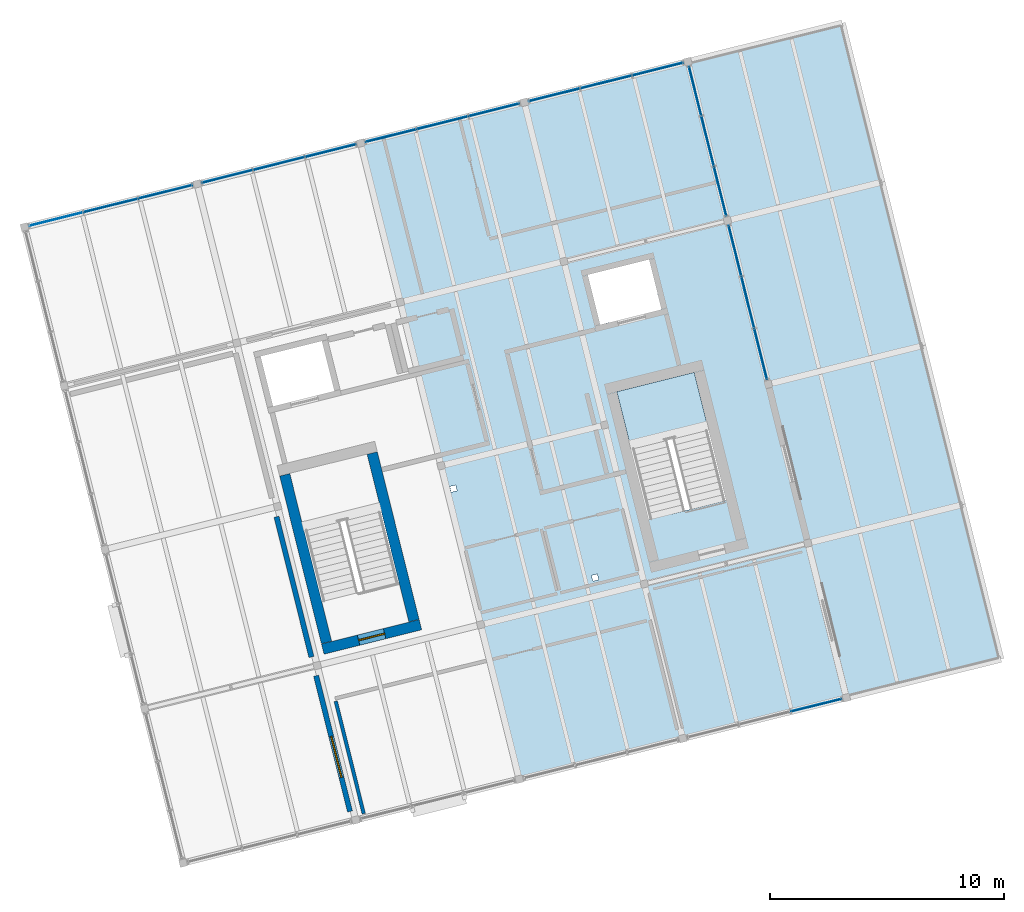
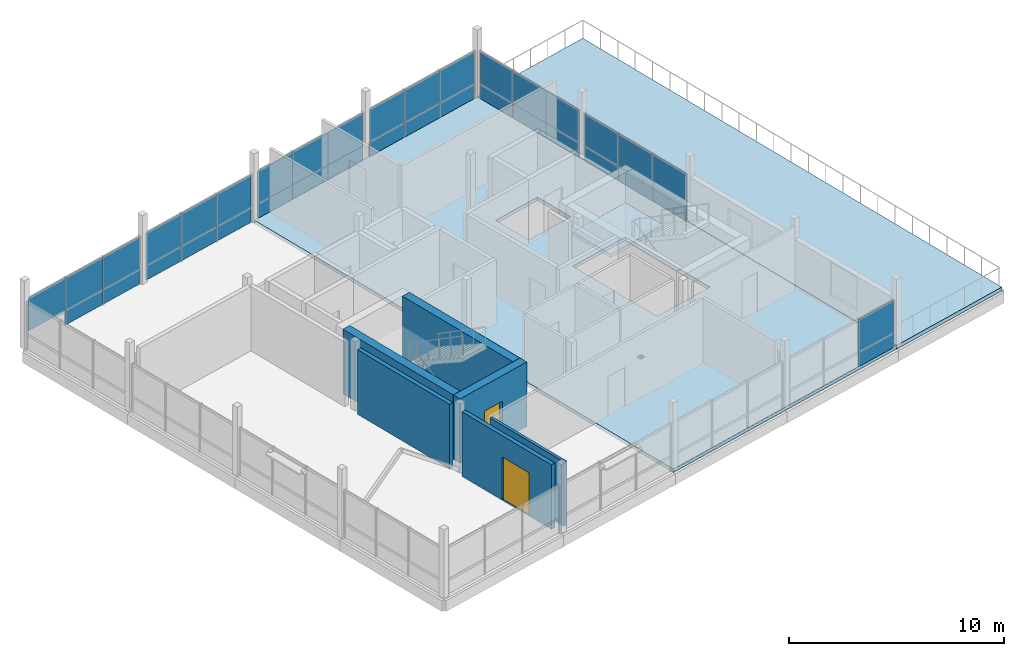
# One storey, part 21 of 24: 37 plates, 6 walls, 3 slabs, 2 doors, 2 openings, 8 elements without a shape of their own.
"""IFC4 building model written with IfcOpenShell, lengths in metres."""

import ifcopenshell
import ifcopenshell.guid

model = None  # the IFC model being written
_history = None  # IfcOwnerHistory: only IFC2X3 demands one
_inside = {}  # id of a spatial element -> (the spatial element, [elements in it])
_under = {}  # id of a project, library or spatial element -> (it, [spatial elements below it])
_declared = {}  # id of a project -> (the project, [libraries it declares])
_typed = {}  # id of a type object -> (the type object, [elements of that type])
_made_of = {}  # id of a material, layer set ... -> (it, [elements and type objects made of it])


def new_model(schema):
    """Start an empty IFC model of exactly this schema.

    Asked for "IFC4X3", IfcOpenShell would pick the latest addendum, in which some entities
    have other attributes; the version numbers below select the first issue.
    IFC2X3 requires an IfcOwnerHistory on every rooted entity: one is made here for all.
    """
    global model, _history
    if schema == "IFC4X3":
        model = ifcopenshell.file(schema_version=(4, 3, 0, 0))
    else:
        model = ifcopenshell.file(schema=schema)
    _inside.clear()
    _under.clear()
    _declared.clear()
    _typed.clear()
    _made_of.clear()
    _history = None
    if model.schema == "IFC2X3":
        org = make("IfcOrganization", Name="unknown")
        user = make(
            "IfcPersonAndOrganization",
            ThePerson=make("IfcPerson", FamilyName="unknown"),
            TheOrganization=org,
        )
        app = make(
            "IfcApplication",
            ApplicationDeveloper=org,
            Version="unknown",
            ApplicationFullName="unknown",
            ApplicationIdentifier="unknown",
        )
        _history = make(
            "IfcOwnerHistory",
            OwningUser=user,
            OwningApplication=app,
            ChangeAction="ADDED",
            CreationDate=0,
        )
    return model


def make(cls, **values):
    """One entity of the class cls with the attributes given. An attribute that is None is left unset."""
    return model.create_entity(
        cls, **{name: value for name, value in values.items() if value is not None}
    )


def rooted(cls, **values):
    """An entity with a GlobalId (a new one), such as an element, a storey or a relation."""
    return make(cls, GlobalId=ifcopenshell.guid.new(), OwnerHistory=_history, **values)


def si_unit(unit_type, name, prefix=None):
    """IfcSIUnit, for example si_unit("LENGTHUNIT", "METRE", prefix="MILLI")."""
    return make("IfcSIUnit", UnitType=unit_type, Prefix=prefix, Name=name)


def assignment(units):
    """IfcUnitAssignment: the units of a project."""
    return None if units is None else make("IfcUnitAssignment", Units=units)


def point(xyz):
    """IfcCartesianPoint."""
    return None if xyz is None else make("IfcCartesianPoint", Coordinates=xyz)


def direction(xyz):
    """IfcDirection."""
    return None if xyz is None else make("IfcDirection", DirectionRatios=xyz)


def frame(location, z_axis=None, x_axis=None):
    """IfcAxis2Placement3D, a coordinate frame: its origin and axes. An axis left out is left unset."""
    return make(
        "IfcAxis2Placement3D",
        Location=point(location),
        Axis=direction(z_axis),
        RefDirection=direction(x_axis),
    )


def frame_2d(location, x_axis=None):
    """IfcAxis2Placement2D, a coordinate frame in the plane: its origin and x axis."""
    return make(
        "IfcAxis2Placement2D", Location=point(location), RefDirection=direction(x_axis)
    )


def origin():
    """The frame at (0, 0, 0) with its axes left unset."""
    return frame((0.0, 0.0, 0.0))


def origin_2d():
    """The frame at (0, 0) in the plane with its x axis left unset."""
    return frame_2d((0.0, 0.0))


def place(relative_to, where):
    """IfcLocalPlacement: puts the frame where relative to a parent placement (None: the world)."""
    return make(
        "IfcLocalPlacement", PlacementRelTo=relative_to, RelativePlacement=where
    )


def context(
    kind, dimensions, precision=None, world=None, true_north=None, identifier=None
):
    """IfcGeometricRepresentationContext, for example the 3D "Model" context."""
    return make(
        "IfcGeometricRepresentationContext",
        ContextIdentifier=identifier,
        ContextType=kind,
        CoordinateSpaceDimension=dimensions,
        Precision=precision,
        WorldCoordinateSystem=world,
        TrueNorth=true_north,
    )


def subcontext(parent, identifier, kind, view, scale=None):
    """IfcGeometricRepresentationSubContext, for example "Body" below "Model"."""
    return make(
        "IfcGeometricRepresentationSubContext",
        ContextIdentifier=identifier,
        ContextType=kind,
        ParentContext=parent,
        TargetScale=scale,
        TargetView=view,
    )


def project(units=None, contexts=None):
    """IfcProject with its units and contexts."""
    return rooted(
        "IfcProject",
        Name="project",
        RepresentationContexts=contexts,
        UnitsInContext=assignment(units),
    )


def spatial(cls, under=None, at=None, **own):
    """A site, building, storey or space (cls), placed at a placement, below another one or the project."""
    s = rooted(cls, ObjectPlacement=at, **own)
    if under is not None:
        _under.setdefault(under.id(), (under, []))[1].append(s)
    return s


def polyline(points):
    """IfcPolyline through the points."""
    return make("IfcPolyline", Points=[point(p) for p in points])


def profile(cls, at=None, kind="AREA", **sizes):
    """A parametric profile (cls). Its sizes go by their IFC names, for example OverallWidth=200.0."""
    return make(cls, ProfileType=kind, Position=at, **sizes)


def rectangle(**sizes):
    """IfcRectangleProfileDef."""
    return profile("IfcRectangleProfileDef", **sizes)


def outline(outer, holes=None, kind="AREA"):
    """IfcArbitraryClosedProfileDef: a profile drawn as a closed curve; with holes, ...WithVoids."""
    if holes is None:
        return make("IfcArbitraryClosedProfileDef", ProfileType=kind, OuterCurve=outer)
    return make(
        "IfcArbitraryProfileDefWithVoids",
        ProfileType=kind,
        OuterCurve=outer,
        InnerCurves=holes,
    )


def extrude(swept, where, along, depth):
    """IfcExtrudedAreaSolid: the profile swept, set in the frame where, extruded along a direction by depth."""
    return make(
        "IfcExtrudedAreaSolid",
        SweptArea=swept,
        Position=where,
        ExtrudedDirection=direction(along),
        Depth=depth,
    )


def shape(context_of_items, identifier, shape_type, items):
    """IfcShapeRepresentation: the items that make up one representation, for example the "Body"."""
    return make(
        "IfcShapeRepresentation",
        ContextOfItems=context_of_items,
        RepresentationIdentifier=identifier,
        RepresentationType=shape_type,
        Items=items,
    )


def material(Name=None, Category=None):
    """IfcMaterial."""
    return make("IfcMaterial", Name=Name, Category=Category)


def layer(
    of_material, thickness, ventilated=None, Name=None, Category=None, Priority=None
):
    """IfcMaterialLayer: one layer of a wall or slab, of a material (None: an air gap)."""
    return make(
        "IfcMaterialLayer",
        Material=of_material,
        LayerThickness=thickness,
        IsVentilated=ventilated,
        Name=Name,
        Category=Category,
        Priority=Priority,
    )


def layer_set(layers, Name=None):
    """IfcMaterialLayerSet."""
    return make("IfcMaterialLayerSet", MaterialLayers=layers, LayerSetName=Name)


def made_of(thing, what):
    """Note that an element or type object is made of a material, layer set ...; save() writes the relation."""
    if what is not None:
        _made_of.setdefault(what.id(), (what, []))[1].append(thing)
    return thing


def type_object(cls, material=None, **own):
    """A type object (cls), such as IfcWallType, which elements share."""
    return made_of(rooted(cls, **own), material)


def element(
    cls,
    number,
    at=None,
    inside=None,
    cuts=None,
    type_object=None,
    material=None,
    context=None,
    identifier="Body",
    shape_type=None,
    held_by="IfcProductDefinitionShape",
    body=None,
    shapes=None,
    **own,
):
    """One element of the class cls, such as IfcWall. Its Tag is "e" and its number.

    at: its placement. inside: the storey or other place that contains it. cuts: it is an
    opening in that element (IfcRelVoidsElement). A single representation is given by context,
    identifier, shape_type and body (its items); several are given by shapes. held_by: the class
    of the entity that holds the representations. save() writes the other relations.
    """
    e = rooted(cls, Tag="e%d" % number, ObjectPlacement=at, **own)
    if body is not None:
        shapes = [shape(context, identifier, shape_type, body)]
    if shapes is not None:
        e.Representation = make(held_by, Representations=shapes)
    if inside is not None:
        _inside.setdefault(inside.id(), (inside, []))[1].append(e)
    if cuts is not None:
        rooted(
            "IfcRelVoidsElement", RelatingBuildingElement=cuts, RelatedOpeningElement=e
        )
    if type_object is not None:
        _typed.setdefault(type_object.id(), (type_object, []))[1].append(e)
    return made_of(e, material)


def fill(opening, filler):
    """IfcRelFillsElement: the door or window that sits in an opening."""
    return rooted(
        "IfcRelFillsElement",
        RelatingOpeningElement=opening,
        RelatedBuildingElement=filler,
    )


def aggregate(whole, parts):
    """IfcRelAggregates: a whole, such as a stair, and the parts it consists of."""
    return rooted("IfcRelAggregates", RelatingObject=whole, RelatedObjects=parts)


def save(model, path):
    """Write the relations noted so far, then the file.

    IfcRelAggregates (storeys below a building ...), IfcRelContainedInSpatialStructure (elements
    in a storey), IfcRelDefinesByType, IfcRelAssociatesMaterial and IfcRelDeclares: one each for
    every whole, place, type object, material and project.
    """
    for whole, parts in _under.values():
        aggregate(whole, parts)
    for where, things in _inside.values():
        rooted(
            "IfcRelContainedInSpatialStructure",
            RelatedElements=things,
            RelatingStructure=where,
        )
    for kind, things in _typed.values():
        rooted("IfcRelDefinesByType", RelatedObjects=things, RelatingType=kind)
    for what, things in _made_of.values():
        rooted("IfcRelAssociatesMaterial", RelatedObjects=things, RelatingMaterial=what)
    for by, libraries in _declared.values():
        rooted("IfcRelDeclares", RelatingContext=by, RelatedDefinitions=libraries)
    model.write(path)


model = new_model("IFC4")

# Units and contexts
model_context = context("Model", 3, precision=1e-05, world=origin(), true_north=direction((0.0, 1.0)))
body_context = subcontext(model_context, "Body", "Model", "MODEL_VIEW")
ifc_project = project(units=[si_unit("LENGTHUNIT", "METRE"), si_unit("AREAUNIT", "SQUARE_METRE"), si_unit("VOLUMEUNIT", "CUBIC_METRE"), si_unit("PLANEANGLEUNIT", "RADIAN"), si_unit("MASSUNIT", "GRAM", prefix="KILO")], contexts=[model_context])

# Site, building, storey
site_placement = place(None, origin())
site = spatial("IfcSite", under=ifc_project, at=site_placement, CompositionType="ELEMENT")
building_placement = place(site_placement, origin())
building = spatial("IfcBuilding", under=site, at=building_placement, Name="Meriwether Solvik Hall", CompositionType="ELEMENT")
storey_placement = place(building_placement, frame((0.0, 0.0, 57.300048828125)))
storey = spatial("IfcBuildingStorey", under=building, at=storey_placement, Name="L14", CompositionType="ELEMENT", Elevation=57.300048828125)

# Curtain wall, plates
ifc_material_1 = material(Name="Thermally Broken Anodised Aluminium 6063-T6 and Low-E Glass", Category="aluminium")
ifc_layer_1 = layer(ifc_material_1, 0.179931640625)
ifc_layer_set_1 = layer_set([ifc_layer_1], Name="Thermally Broken Anodised Aluminium 6063-T6 and Low-E Glass")
curtain_wall_type_1 = type_object("IfcCurtainWallType", Name="CW-UNIT-G", PredefinedType="USERDEFINED", material=ifc_layer_set_1)
curtain_wall_1_placement = place(storey_placement, origin())
curtain_wall_1 = element("IfcCurtainWall", 1, at=curtain_wall_1_placement, inside=storey, type_object=curtain_wall_type_1, Name="Curtain Wall E2_B0 (L14)", ObjectType="UNITISED CURTAIN WALL", PredefinedType="USERDEFINED")
ifc_material_2 = material(Name="Low-Emissivity Double-Glazed Laminated Glass", Category="glass")
ifc_layer_2 = layer(ifc_material_2, 0.031982421875)
ifc_layer_set_2 = layer_set([ifc_layer_2], Name="Low-Emissivity Double-Glazed Laminated Glass")
plate_type_1 = type_object("IfcPlateType", Name="PLT-GLZ-180X185", PredefinedType="CURTAIN_PANEL", material=ifc_layer_set_2)
plate_1_placement = place(storey_placement, frame((63.183349609375, 68.70654296875, 0.8173828125), z_axis=(0.0, 0.0, 1.0), x_axis=(0.970295720361, 0.241921919325, 0.0)))
plate_1 = element("IfcPlate", 2, at=plate_1_placement, type_object=plate_type_1, Name="Low-E Vision Glazing Panel 1", PredefinedType="CURTAIN_PANEL", context=body_context, shape_type="SweptSolid", body=[
    extrude(rectangle(XDim=2.374267578125, YDim=0.033935546875, at=origin_2d()), origin(), (0.0, 0.0, 1.0), 1.847412109375),
])
plate_2_placement = place(storey_placement, frame((65.513427734375, 69.28759765625, 0.8173828125), z_axis=(0.0, 0.0, 1.0), x_axis=(0.970295720361, 0.241921919325, 0.0)))
plate_2 = element("IfcPlate", 3, at=plate_2_placement, type_object=plate_type_1, Name="Low-E Vision Glazing Panel 2", PredefinedType="CURTAIN_PANEL", context=body_context, shape_type="SweptSolid", body=[
    extrude(rectangle(XDim=2.412353515625, YDim=0.033935546875, at=origin_2d()), origin(), (0.0, 0.0, 1.0), 1.847412109375),
])
plate_3_placement = place(storey_placement, frame((67.84326171875, 69.868408203125, 0.8173828125), z_axis=(0.0, 0.0, 1.0), x_axis=(0.970295720361, 0.241921919325, 0.0)))
plate_3 = element("IfcPlate", 4, at=plate_3_placement, type_object=plate_type_1, Name="Low-E Vision Glazing Panel 3", PredefinedType="CURTAIN_PANEL", context=body_context, shape_type="SweptSolid", body=[
    extrude(rectangle(XDim=2.374267578125, YDim=0.033935546875, at=origin_2d()), origin(), (0.0, 0.0, 1.0), 1.847412109375),
])

# Curtain wall, plate
ifc_material_3 = material(Name="Thermally Broken Anodised Aluminium 6063-T6 and Low-E Glass", Category="aluminium")
ifc_layer_3 = layer(ifc_material_3, 0.179931640625)
ifc_layer_set_3 = layer_set([ifc_layer_3], Name="Thermally Broken Anodised Aluminium 6063-T6 and Low-E Glass")
curtain_wall_type_2 = type_object("IfcCurtainWallType", Name="CW-UNIT-A", PredefinedType="USERDEFINED", material=ifc_layer_set_3)
curtain_wall_2_placement = place(storey_placement, origin())
curtain_wall_2 = element("IfcCurtainWall", 5, at=curtain_wall_2_placement, inside=storey, type_object=curtain_wall_type_2, Name="Curtain Wall E0_B3 (L14)", ObjectType="UNITISED CURTAIN WALL", PredefinedType="USERDEFINED")
ifc_material_4 = material(Name="Low-Emissivity Double-Glazed Laminated Glass", Category="glass")
ifc_layer_4 = layer(ifc_material_4, 0.031982421875)
ifc_layer_set_4 = layer_set([ifc_layer_4], Name="Low-Emissivity Double-Glazed Laminated Glass")
plate_type_2 = type_object("IfcPlateType", Name="PLT-GLZ-195X185", PredefinedType="CURTAIN_PANEL", material=ifc_layer_set_4)
plate_4_placement = place(storey_placement, frame((95.64013671875, 47.94189453125, 0.8173828125), z_axis=(0.0, 0.0, 1.0), x_axis=(-0.970295696551, -0.241922014821, 0.0)))
plate_4 = element("IfcPlate", 6, at=plate_4_placement, type_object=plate_type_2, Name="Low-E Vision Glazing Panel 1", PredefinedType="CURTAIN_PANEL", context=body_context, shape_type="SweptSolid", body=[
    extrude(rectangle(XDim=2.240966796875, YDim=0.033935546875, at=origin_2d()), origin(), (0.0, 0.0, 1.0), 1.847412109375),
])

# Curtain wall, plates
ifc_material_5 = material(Name="Thermally Broken Anodised Aluminium 6063-T6 and Low-E Glass", Category="aluminium")
ifc_layer_5 = layer(ifc_material_5, 0.179931640625)
ifc_layer_set_5 = layer_set([ifc_layer_5], Name="Thermally Broken Anodised Aluminium 6063-T6 and Low-E Glass")
curtain_wall_type_3 = type_object("IfcCurtainWallType", Name="CW-UNIT-B", PredefinedType="USERDEFINED", material=ifc_layer_set_5)
curtain_wall_3_placement = place(storey_placement, origin())
curtain_wall_3 = element("IfcCurtainWall", 7, at=curtain_wall_3_placement, inside=storey, type_object=curtain_wall_type_3, Name="Curtain Wall E1_B3 (L14)", ObjectType="UNITISED CURTAIN WALL", PredefinedType="USERDEFINED")
plate_5_placement = place(storey_placement, frame((90.472900390625, 74.17236328125, 0.8173828125), z_axis=(0.0, 0.0, 1.0), x_axis=(0.241921925524, -0.970295718815, 0.0)))
plate_5 = element("IfcPlate", 8, at=plate_5_placement, type_object=plate_type_2, Name="Low-E Vision Glazing Panel 1", PredefinedType="CURTAIN_PANEL", context=body_context, shape_type="SweptSolid", body=[
    extrude(rectangle(XDim=2.17431640625, YDim=0.033935546875, at=origin_2d()), origin(), (0.0, 0.0, 1.0), 1.847412109375),
])
plate_6_placement = place(storey_placement, frame((91.005615234375, 72.036376953125, 0.8173828125), z_axis=(0.0, 0.0, 1.0), x_axis=(0.241921925524, -0.970295718815, 0.0)))
plate_6 = element("IfcPlate", 9, at=plate_6_placement, type_object=plate_type_2, Name="Low-E Vision Glazing Panel 2", PredefinedType="CURTAIN_PANEL", context=body_context, shape_type="SweptSolid", body=[
    extrude(rectangle(XDim=2.21240234375, YDim=0.033935546875, at=origin_2d()), origin(), (0.0, 0.0, 1.0), 1.847412109375),
])
plate_7_placement = place(storey_placement, frame((91.5380859375, 69.900390625, 0.8173828125), z_axis=(0.0, 0.0, 1.0), x_axis=(0.241921925524, -0.970295718815, 0.0)))
plate_7 = element("IfcPlate", 10, at=plate_7_placement, type_object=plate_type_2, Name="Low-E Vision Glazing Panel 3", PredefinedType="CURTAIN_PANEL", context=body_context, shape_type="SweptSolid", body=[
    extrude(rectangle(XDim=2.17431640625, YDim=0.033935546875, at=origin_2d()), origin(), (0.0, 0.0, 1.0), 1.847412109375),
])

ifc_material_6 = material(Name="Thermally Broken Anodised Aluminium 6063-T6 and Low-E Glass", Category="aluminium")
ifc_layer_6 = layer(ifc_material_6, 0.179931640625)
ifc_layer_set_6 = layer_set([ifc_layer_6], Name="Thermally Broken Anodised Aluminium 6063-T6 and Low-E Glass")
curtain_wall_type_4 = type_object("IfcCurtainWallType", Name="CW-UNIT-C", PredefinedType="USERDEFINED", material=ifc_layer_set_6)
curtain_wall_4_placement = place(storey_placement, origin())
curtain_wall_4 = element("IfcCurtainWall", 11, at=curtain_wall_4_placement, inside=storey, type_object=curtain_wall_type_4, Name="Curtain Wall E2_B3 (L14)", ObjectType="UNITISED CURTAIN WALL", PredefinedType="USERDEFINED")
plate_8_placement = place(storey_placement, frame((84.465087890625, 74.0126953125, 0.8173828125), z_axis=(0.0, 0.0, 1.0), x_axis=(0.970295730764, 0.241921877598, 0.0)))
plate_8 = element("IfcPlate", 12, at=plate_8_placement, type_object=plate_type_2, Name="Low-E Vision Glazing Panel 1", PredefinedType="CURTAIN_PANEL", context=body_context, shape_type="SweptSolid", body=[
    extrude(rectangle(XDim=2.240966796875, YDim=0.033935546875, at=origin_2d()), origin(), (0.0, 0.0, 1.0), 1.847412109375),
])
plate_9_placement = place(storey_placement, frame((86.665771484375, 74.5615234375, 0.8173828125), z_axis=(0.0, 0.0, 1.0), x_axis=(0.970295730764, 0.241921877598, 0.0)))
plate_9 = element("IfcPlate", 13, at=plate_9_placement, type_object=plate_type_2, Name="Low-E Vision Glazing Panel 2", PredefinedType="CURTAIN_PANEL", context=body_context, shape_type="SweptSolid", body=[
    extrude(rectangle(XDim=2.279052734375, YDim=0.033935546875, at=origin_2d()), origin(), (0.0, 0.0, 1.0), 1.847412109375),
])
plate_10_placement = place(storey_placement, frame((88.866455078125, 75.110107421875, 0.8173828125), z_axis=(0.0, 0.0, 1.0), x_axis=(0.970295730764, 0.241921877598, 0.0)))
plate_10 = element("IfcPlate", 14, at=plate_10_placement, type_object=plate_type_2, Name="Low-E Vision Glazing Panel 3", PredefinedType="CURTAIN_PANEL", context=body_context, shape_type="SweptSolid", body=[
    extrude(rectangle(XDim=2.240966796875, YDim=0.033935546875, at=origin_2d()), origin(), (0.0, 0.0, 1.0), 1.847412109375),
])

curtain_wall_5_placement = place(storey_placement, origin())
curtain_wall_5 = element("IfcCurtainWall", 15, at=curtain_wall_5_placement, inside=storey, type_object=curtain_wall_type_2, Name="Curtain Wall E1_B2 (L14)", ObjectType="UNITISED CURTAIN WALL", PredefinedType="USERDEFINED")
ifc_material_7 = material(Name="Low-Emissivity Double-Glazed Laminated Glass", Category="glass")
ifc_layer_7 = layer(ifc_material_7, 0.031982421875)
ifc_layer_set_7 = layer_set([ifc_layer_7], Name="Low-Emissivity Double-Glazed Laminated Glass")
plate_type_3 = type_object("IfcPlateType", Name="PLT-GLZ-210X195", PredefinedType="CURTAIN_PANEL", material=ifc_layer_set_7)
plate_11_placement = place(storey_placement, frame((92.174560546875, 67.347900390625, 0.8173828125), z_axis=(0.0, 0.0, 1.0), x_axis=(0.241921877598, -0.970295730764, 0.0)))
plate_11 = element("IfcPlate", 16, at=plate_11_placement, type_object=plate_type_3, Name="Low-E Vision Glazing Panel 1", PredefinedType="CURTAIN_PANEL", context=body_context, shape_type="SweptSolid", body=[
    extrude(rectangle(XDim=2.240966796875, YDim=0.033935546875, at=origin_2d()), origin(), (0.0, 0.0, 1.0), 1.847412109375),
])
plate_12_placement = place(storey_placement, frame((92.72314453125, 65.147216796875, 0.8173828125), z_axis=(0.0, 0.0, 1.0), x_axis=(0.241921877598, -0.970295730764, 0.0)))
plate_12 = element("IfcPlate", 17, at=plate_12_placement, type_object=plate_type_3, Name="Low-E Vision Glazing Panel 2", PredefinedType="CURTAIN_PANEL", context=body_context, shape_type="SweptSolid", body=[
    extrude(rectangle(XDim=2.279052734375, YDim=0.033935546875, at=origin_2d()), origin(), (0.0, 0.0, 1.0), 1.847412109375),
])
plate_13_placement = place(storey_placement, frame((93.27197265625, 62.946533203125, 0.8173828125), z_axis=(0.0, 0.0, 1.0), x_axis=(0.241921877598, -0.970295730764, 0.0)))
plate_13 = element("IfcPlate", 18, at=plate_13_placement, type_object=plate_type_3, Name="Low-E Vision Glazing Panel 3", PredefinedType="CURTAIN_PANEL", context=body_context, shape_type="SweptSolid", body=[
    extrude(rectangle(XDim=2.240966796875, YDim=0.033935546875, at=origin_2d()), origin(), (0.0, 0.0, 1.0), 1.847412109375),
])

curtain_wall_6_placement = place(storey_placement, origin())
curtain_wall_6 = element("IfcCurtainWall", 19, at=curtain_wall_6_placement, inside=storey, type_object=curtain_wall_type_3, Name="Curtain Wall E2_B2 (L14)", ObjectType="UNITISED CURTAIN WALL", PredefinedType="USERDEFINED")
plate_14_placement = place(storey_placement, frame((77.47900390625, 72.27099609375, 0.8173828125), z_axis=(0.0, 0.0, 1.0), x_axis=(0.970295730764, 0.241921877598, 0.0)))
plate_14 = element("IfcPlate", 20, at=plate_14_placement, type_object=plate_type_3, Name="Low-E Vision Glazing Panel 1", PredefinedType="CURTAIN_PANEL", context=body_context, shape_type="SweptSolid", body=[
    extrude(rectangle(XDim=2.240966796875, YDim=0.033935546875, at=origin_2d()), origin(), (0.0, 0.0, 1.0), 1.847412109375),
])
plate_15_placement = place(storey_placement, frame((79.6796875, 72.819580078125, 0.8173828125), z_axis=(0.0, 0.0, 1.0), x_axis=(0.970295730764, 0.241921877598, 0.0)))
plate_15 = element("IfcPlate", 21, at=plate_15_placement, type_object=plate_type_3, Name="Low-E Vision Glazing Panel 2", PredefinedType="CURTAIN_PANEL", context=body_context, shape_type="SweptSolid", body=[
    extrude(rectangle(XDim=2.279052734375, YDim=0.033935546875, at=origin_2d()), origin(), (0.0, 0.0, 1.0), 1.847412109375),
])
plate_16_placement = place(storey_placement, frame((81.88037109375, 73.368408203125, 0.8173828125), z_axis=(0.0, 0.0, 1.0), x_axis=(0.970295730764, 0.241921877598, 0.0)))
plate_16 = element("IfcPlate", 22, at=plate_16_placement, type_object=plate_type_3, Name="Low-E Vision Glazing Panel 3", PredefinedType="CURTAIN_PANEL", context=body_context, shape_type="SweptSolid", body=[
    extrude(rectangle(XDim=2.240966796875, YDim=0.033935546875, at=origin_2d()), origin(), (0.0, 0.0, 1.0), 1.847412109375),
])

curtain_wall_7_placement = place(storey_placement, origin())
curtain_wall_7 = element("IfcCurtainWall", 23, at=curtain_wall_7_placement, inside=storey, type_object=curtain_wall_type_2, Name="Curtain Wall E2_B1 (L14)", ObjectType="UNITISED CURTAIN WALL", PredefinedType="USERDEFINED")
ifc_material_8 = material(Name="Low-Emissivity Double-Glazed Laminated Glass", Category="glass")
ifc_layer_8 = layer(ifc_material_8, 0.031982421875)
ifc_layer_set_8 = layer_set([ifc_layer_8], Name="Low-Emissivity Double-Glazed Laminated Glass")
plate_type_4 = type_object("IfcPlateType", Name="PLT-GLZ-225X195", PredefinedType="CURTAIN_PANEL", material=ifc_layer_set_8)
plate_17_placement = place(storey_placement, frame((70.492919921875, 70.529052734375, 0.8173828125), z_axis=(0.0, 0.0, 1.0), x_axis=(0.970295730764, 0.241921877598, 0.0)))
plate_17 = element("IfcPlate", 24, at=plate_17_placement, type_object=plate_type_4, Name="Low-E Vision Glazing Panel 1", PredefinedType="CURTAIN_PANEL", context=body_context, shape_type="SweptSolid", body=[
    extrude(rectangle(XDim=2.240966796875, YDim=0.033935546875, at=origin_2d()), origin(), (0.0, 0.0, 1.0), 1.847412109375),
])
plate_18_placement = place(storey_placement, frame((72.693603515625, 71.077880859375, 0.8173828125), z_axis=(0.0, 0.0, 1.0), x_axis=(0.970295730764, 0.241921877598, 0.0)))
plate_18 = element("IfcPlate", 25, at=plate_18_placement, type_object=plate_type_4, Name="Low-E Vision Glazing Panel 2", PredefinedType="CURTAIN_PANEL", context=body_context, shape_type="SweptSolid", body=[
    extrude(rectangle(XDim=2.279052734375, YDim=0.033935546875, at=origin_2d()), origin(), (0.0, 0.0, 1.0), 1.847412109375),
])
plate_19_placement = place(storey_placement, frame((74.89404296875, 71.62646484375, 0.8173828125), z_axis=(0.0, 0.0, 1.0), x_axis=(0.970295730764, 0.241921877598, 0.0)))
plate_19 = element("IfcPlate", 26, at=plate_19_placement, type_object=plate_type_4, Name="Low-E Vision Glazing Panel 3", PredefinedType="CURTAIN_PANEL", context=body_context, shape_type="SweptSolid", body=[
    extrude(rectangle(XDim=2.240966796875, YDim=0.033935546875, at=origin_2d()), origin(), (0.0, 0.0, 1.0), 1.847412109375),
])

# Plate
ifc_material_9 = material(Name="Mineral-Wool Insulated Anodised Aluminium 6063-T6", Category="aluminium")
ifc_layer_9 = layer(ifc_material_9, 0.044921875)
ifc_layer_set_9 = layer_set([ifc_layer_9], Name="Mineral-Wool Insulated Anodised Aluminium 6063-T6")
plate_type_5 = type_object("IfcPlateType", Name="PLT-SPN-200X085", PredefinedType="CURTAIN_PANEL", material=ifc_layer_set_9)
plate_20_placement = place(storey_placement, frame((95.64013671875, 47.94189453125, 0.0), z_axis=(0.0, 0.0, 1.0), x_axis=(-0.970295696551, -0.241922014821, 0.0)))
plate_20 = element("IfcPlate", 27, at=plate_20_placement, type_object=plate_type_5, Name="Insulated Spandrel Panel 1", PredefinedType="CURTAIN_PANEL", context=body_context, shape_type="SweptSolid", body=[
    extrude(rectangle(XDim=2.240966796875, YDim=0.044921875, at=origin_2d()), origin(), (0.0, 0.0, 1.0), 0.8173828125),
])

aggregate(curtain_wall_2, [plate_20, plate_4])

plate_21_placement = place(storey_placement, frame((92.174560546875, 67.347900390625, 0.0), z_axis=(0.0, 0.0, 1.0), x_axis=(0.241921877598, -0.970295730764, 0.0)))
plate_21 = element("IfcPlate", 28, at=plate_21_placement, type_object=plate_type_5, Name="Insulated Spandrel Panel 1", PredefinedType="CURTAIN_PANEL", context=body_context, shape_type="SweptSolid", body=[
    extrude(rectangle(XDim=2.240966796875, YDim=0.044921875, at=origin_2d()), origin(), (0.0, 0.0, 1.0), 0.8173828125),
])

plate_22_placement = place(storey_placement, frame((92.72314453125, 65.147216796875, 0.0), z_axis=(0.0, 0.0, 1.0), x_axis=(0.241921877598, -0.970295730764, 0.0)))
plate_22 = element("IfcPlate", 29, at=plate_22_placement, type_object=plate_type_5, Name="Insulated Spandrel Panel 2", PredefinedType="CURTAIN_PANEL", context=body_context, shape_type="SweptSolid", body=[
    extrude(rectangle(XDim=2.279052734375, YDim=0.044921875, at=origin_2d()), origin(), (0.0, 0.0, 1.0), 0.8173828125),
])

plate_23_placement = place(storey_placement, frame((93.27197265625, 62.946533203125, 0.0), z_axis=(0.0, 0.0, 1.0), x_axis=(0.241921877598, -0.970295730764, 0.0)))
plate_23 = element("IfcPlate", 30, at=plate_23_placement, type_object=plate_type_5, Name="Insulated Spandrel Panel 3", PredefinedType="CURTAIN_PANEL", context=body_context, shape_type="SweptSolid", body=[
    extrude(rectangle(XDim=2.240966796875, YDim=0.044921875, at=origin_2d()), origin(), (0.0, 0.0, 1.0), 0.8173828125),
])

aggregate(curtain_wall_5, [plate_21, plate_11, plate_22, plate_12, plate_23, plate_13])

plate_24_placement = place(storey_placement, frame((90.472900390625, 74.17236328125, 0.0), z_axis=(0.0, 0.0, 1.0), x_axis=(0.241921925524, -0.970295718815, 0.0)))
plate_24 = element("IfcPlate", 31, at=plate_24_placement, type_object=plate_type_5, Name="Insulated Spandrel Panel 1", PredefinedType="CURTAIN_PANEL", context=body_context, shape_type="SweptSolid", body=[
    extrude(rectangle(XDim=2.17431640625, YDim=0.044921875, at=origin_2d()), origin(), (0.0, 0.0, 1.0), 0.8173828125),
])

plate_25_placement = place(storey_placement, frame((91.005615234375, 72.036376953125, 0.0), z_axis=(0.0, 0.0, 1.0), x_axis=(0.241921925524, -0.970295718815, 0.0)))
plate_25 = element("IfcPlate", 32, at=plate_25_placement, type_object=plate_type_5, Name="Insulated Spandrel Panel 2", PredefinedType="CURTAIN_PANEL", context=body_context, shape_type="SweptSolid", body=[
    extrude(rectangle(XDim=2.21240234375, YDim=0.044921875, at=origin_2d()), origin(), (0.0, 0.0, 1.0), 0.8173828125),
])

plate_26_placement = place(storey_placement, frame((91.5380859375, 69.900390625, 0.0), z_axis=(0.0, 0.0, 1.0), x_axis=(0.241921925524, -0.970295718815, 0.0)))
plate_26 = element("IfcPlate", 33, at=plate_26_placement, type_object=plate_type_5, Name="Insulated Spandrel Panel 3", PredefinedType="CURTAIN_PANEL", context=body_context, shape_type="SweptSolid", body=[
    extrude(rectangle(XDim=2.17431640625, YDim=0.044921875, at=origin_2d()), origin(), (0.0, 0.0, 1.0), 0.8173828125),
])

aggregate(curtain_wall_3, [plate_24, plate_5, plate_25, plate_6, plate_26, plate_7])

plate_27_placement = place(storey_placement, frame((65.513427734375, 69.28759765625, 0.0), z_axis=(0.0, 0.0, 1.0), x_axis=(0.970295720361, 0.241921919325, 0.0)))
plate_27 = element("IfcPlate", 34, at=plate_27_placement, type_object=plate_type_5, Name="Insulated Spandrel Panel 2", PredefinedType="CURTAIN_PANEL", context=body_context, shape_type="SweptSolid", body=[
    extrude(rectangle(XDim=2.412353515625, YDim=0.044921875, at=origin_2d()), origin(), (0.0, 0.0, 1.0), 0.8173828125),
])

plate_28_placement = place(storey_placement, frame((67.84326171875, 69.868408203125, 0.0), z_axis=(0.0, 0.0, 1.0), x_axis=(0.970295720361, 0.241921919325, 0.0)))
plate_28 = element("IfcPlate", 35, at=plate_28_placement, type_object=plate_type_5, Name="Insulated Spandrel Panel 3", PredefinedType="CURTAIN_PANEL", context=body_context, shape_type="SweptSolid", body=[
    extrude(rectangle(XDim=2.374267578125, YDim=0.044921875, at=origin_2d()), origin(), (0.0, 0.0, 1.0), 0.8173828125),
])

aggregate(curtain_wall_1, [plate_1, plate_27, plate_2, plate_28, plate_3])

plate_29_placement = place(storey_placement, frame((70.492919921875, 70.529052734375, 0.0), z_axis=(0.0, 0.0, 1.0), x_axis=(0.970295730764, 0.241921877598, 0.0)))
plate_29 = element("IfcPlate", 36, at=plate_29_placement, type_object=plate_type_5, Name="Insulated Spandrel Panel 1", PredefinedType="CURTAIN_PANEL", context=body_context, shape_type="SweptSolid", body=[
    extrude(rectangle(XDim=2.240966796875, YDim=0.044921875, at=origin_2d()), origin(), (0.0, 0.0, 1.0), 0.8173828125),
])

plate_30_placement = place(storey_placement, frame((72.693603515625, 71.077880859375, 0.0), z_axis=(0.0, 0.0, 1.0), x_axis=(0.970295730764, 0.241921877598, 0.0)))
plate_30 = element("IfcPlate", 37, at=plate_30_placement, type_object=plate_type_5, Name="Insulated Spandrel Panel 2", PredefinedType="CURTAIN_PANEL", context=body_context, shape_type="SweptSolid", body=[
    extrude(rectangle(XDim=2.279052734375, YDim=0.044921875, at=origin_2d()), origin(), (0.0, 0.0, 1.0), 0.8173828125),
])

plate_31_placement = place(storey_placement, frame((74.89404296875, 71.62646484375, 0.0), z_axis=(0.0, 0.0, 1.0), x_axis=(0.970295730764, 0.241921877598, 0.0)))
plate_31 = element("IfcPlate", 38, at=plate_31_placement, type_object=plate_type_5, Name="Insulated Spandrel Panel 3", PredefinedType="CURTAIN_PANEL", context=body_context, shape_type="SweptSolid", body=[
    extrude(rectangle(XDim=2.240966796875, YDim=0.044921875, at=origin_2d()), origin(), (0.0, 0.0, 1.0), 0.8173828125),
])

aggregate(curtain_wall_7, [plate_29, plate_17, plate_30, plate_18, plate_31, plate_19])

plate_32_placement = place(storey_placement, frame((77.47900390625, 72.27099609375, 0.0), z_axis=(0.0, 0.0, 1.0), x_axis=(0.970295730764, 0.241921877598, 0.0)))
plate_32 = element("IfcPlate", 39, at=plate_32_placement, type_object=plate_type_5, Name="Insulated Spandrel Panel 1", PredefinedType="CURTAIN_PANEL", context=body_context, shape_type="SweptSolid", body=[
    extrude(rectangle(XDim=2.240966796875, YDim=0.044921875, at=origin_2d()), origin(), (0.0, 0.0, 1.0), 0.8173828125),
])

plate_33_placement = place(storey_placement, frame((79.6796875, 72.819580078125, 0.0), z_axis=(0.0, 0.0, 1.0), x_axis=(0.970295730764, 0.241921877598, 0.0)))
plate_33 = element("IfcPlate", 40, at=plate_33_placement, type_object=plate_type_5, Name="Insulated Spandrel Panel 2", PredefinedType="CURTAIN_PANEL", context=body_context, shape_type="SweptSolid", body=[
    extrude(rectangle(XDim=2.279052734375, YDim=0.044921875, at=origin_2d()), origin(), (0.0, 0.0, 1.0), 0.8173828125),
])

plate_34_placement = place(storey_placement, frame((81.88037109375, 73.368408203125, 0.0), z_axis=(0.0, 0.0, 1.0), x_axis=(0.970295730764, 0.241921877598, 0.0)))
plate_34 = element("IfcPlate", 41, at=plate_34_placement, type_object=plate_type_5, Name="Insulated Spandrel Panel 3", PredefinedType="CURTAIN_PANEL", context=body_context, shape_type="SweptSolid", body=[
    extrude(rectangle(XDim=2.240966796875, YDim=0.044921875, at=origin_2d()), origin(), (0.0, 0.0, 1.0), 0.8173828125),
])

aggregate(curtain_wall_6, [plate_32, plate_14, plate_33, plate_15, plate_34, plate_16])

plate_35_placement = place(storey_placement, frame((84.465087890625, 74.0126953125, 0.0), z_axis=(0.0, 0.0, 1.0), x_axis=(0.970295730764, 0.241921877598, 0.0)))
plate_35 = element("IfcPlate", 42, at=plate_35_placement, type_object=plate_type_5, Name="Insulated Spandrel Panel 1", PredefinedType="CURTAIN_PANEL", context=body_context, shape_type="SweptSolid", body=[
    extrude(rectangle(XDim=2.240966796875, YDim=0.044921875, at=origin_2d()), origin(), (0.0, 0.0, 1.0), 0.8173828125),
])

plate_36_placement = place(storey_placement, frame((86.665771484375, 74.5615234375, 0.0), z_axis=(0.0, 0.0, 1.0), x_axis=(0.970295730764, 0.241921877598, 0.0)))
plate_36 = element("IfcPlate", 43, at=plate_36_placement, type_object=plate_type_5, Name="Insulated Spandrel Panel 2", PredefinedType="CURTAIN_PANEL", context=body_context, shape_type="SweptSolid", body=[
    extrude(rectangle(XDim=2.279052734375, YDim=0.044921875, at=origin_2d()), origin(), (0.0, 0.0, 1.0), 0.8173828125),
])

plate_37_placement = place(storey_placement, frame((88.866455078125, 75.110107421875, 0.0), z_axis=(0.0, 0.0, 1.0), x_axis=(0.970295730764, 0.241921877598, 0.0)))
plate_37 = element("IfcPlate", 44, at=plate_37_placement, type_object=plate_type_5, Name="Insulated Spandrel Panel 3", PredefinedType="CURTAIN_PANEL", context=body_context, shape_type="SweptSolid", body=[
    extrude(rectangle(XDim=2.240966796875, YDim=0.044921875, at=origin_2d()), origin(), (0.0, 0.0, 1.0), 0.8173828125),
])

aggregate(curtain_wall_4, [plate_35, plate_8, plate_36, plate_9, plate_37, plate_10])

# Slabs
ifc_material_10 = material(Name="Cross-Laminated Timber PRG 320 E1", Category="wood")
ifc_layer_10 = layer(ifc_material_10, 0.199951171875)
ifc_layer_set_10 = layer_set([ifc_layer_10], Name="Cross-Laminated Timber PRG 320 E1")
slab_type_1 = type_object("IfcSlabType", Name="SLB-CLT-200", PredefinedType="FLOOR", material=ifc_layer_set_10)
slab_1_placement = place(storey_placement, frame((0.0, 0.0, -0.199951171875)))
element("IfcSlab", 45, at=slab_1_placement, inside=storey, type_object=slab_type_1, Name="L14 Mass-Timber CLT Floor C", PredefinedType="FLOOR", context=body_context, shape_type="SweptSolid", body=[
    extrude(outline(polyline([(90.156005859375, 75.431640625), (96.9296875, 48.263427734375), (82.96337890625, 44.78125), (76.189453125, 71.949462890625), (90.156005859375, 75.431640625)]), holes=[polyline([(86.106689453125, 53.242919921875), (86.34912109375, 53.303466796875), (86.28857421875, 53.5458984375), (86.046142578125, 53.485595703125), (86.106689453125, 53.242919921875)]), polyline([(79.997314453125, 57.284912109375), (80.0576171875, 57.04248046875), (80.30029296875, 57.10302734375), (80.23974609375, 57.345458984375), (79.997314453125, 57.284912109375)]), polyline([(88.492919921875, 55.8662109375), (91.791748046875, 56.688720703125), (90.429443359375, 62.1533203125), (87.13037109375, 61.330810546875), (88.492919921875, 55.8662109375)]), polyline([(85.884521484375, 66.327880859375), (86.416748046875, 64.193359375), (89.036376953125, 64.846435546875), (88.504150390625, 66.981201171875), (85.884521484375, 66.327880859375)])]), origin(), (0.0, 0.0, 1.0), 0.199951171875),
])
ifc_material_11 = material(Name="Cross-Laminated Timber PRG 320 E1", Category="wood")
ifc_layer_11 = layer(ifc_material_11, 0.219970703125)
ifc_layer_set_11 = layer_set([ifc_layer_11], Name="Cross-Laminated Timber PRG 320 E1")
slab_type_2 = type_object("IfcSlabType", Name="SLB-CLT-220", PredefinedType="FLOOR", material=ifc_layer_set_11)
slab_2_placement = place(storey_placement, frame((0.0, 0.0, -0.219970703125)))
element("IfcSlab", 46, at=slab_2_placement, inside=storey, type_object=slab_type_2, Name="L14 Upper Sky Terrace", PredefinedType="FLOOR", context=body_context, shape_type="SweptSolid", body=[
    extrude(outline(polyline([(96.9375, 48.265380859375), (103.53076171875, 49.9091796875), (96.7568359375, 77.077392578125), (90.16357421875, 75.43359375), (96.9375, 48.265380859375)])), origin(), (0.0, 0.0, 1.0), 0.219970703125),
])

# Stair, slab
ifc_material_12 = material(Name="Concrete C40/50", Category="concrete")
stair_type = type_object("IfcStairType", Name="STR-CORE-DOGLEG-A", PredefinedType="TWO_STRAIGHT_RUN_STAIR", material=ifc_material_12)
stair_placement = place(storey_placement, origin())
stair = element("IfcStair", 47, at=stair_placement, inside=storey, type_object=stair_type, Name="Exit Stair ST-02 (L14)", PredefinedType="TWO_STRAIGHT_RUN_STAIR")
ifc_material_13 = material(Name="Concrete C40/50", Category="concrete")
ifc_layer_12 = layer(ifc_material_13, 0.199951171875)
ifc_layer_set_12 = layer_set([ifc_layer_12], Name="Concrete C40/50")
slab_type_3 = type_object("IfcSlabType", Name="SLB-LND-200", PredefinedType="LANDING", material=ifc_layer_set_12)
slab_3_placement = place(storey_placement, frame((0.0, 0.0, 1.75)))
slab_3 = element("IfcSlab", 48, at=slab_3_placement, type_object=slab_type_3, Name="Stair ST-02 Half Landing (L14)", PredefinedType="LANDING", context=body_context, shape_type="SweptSolid", body=[
    extrude(outline(polyline([(87.73828125, 58.871826171875), (91.046875, 59.69677734375), (90.432861328125, 62.159423828125), (87.124267578125, 61.33447265625), (87.73828125, 58.871826171875)])), origin(), (0.0, 0.0, 1.0), 0.199951171875),
])
aggregate(stair, [slab_3])

# Wall, opening, door
ifc_material_14 = material(Name="Acoustic Mineral-Wool Double Gypsum Board", Category="gypsum")
ifc_layer_13 = layer(ifc_material_14, 0.219970703125)
ifc_layer_set_13 = layer_set([ifc_layer_13], Name="Acoustic Mineral-Wool Double Gypsum Board")
wall_type_1 = type_object("IfcWallType", Name="WALL-ACST-220", PredefinedType="PARTITIONING", material=ifc_layer_set_13)
wall_1_placement = place(storey_placement, frame((75.728759765625, 43.403564453125, 0.0), z_axis=(0.0, 0.0, 1.0), x_axis=(-0.24192989378, 0.970293732071, 0.0)))
wall_1 = element("IfcWall", 49, at=wall_1_placement, inside=storey, type_object=wall_type_1, Name="L14 Interior Partition board_14_e", PredefinedType="PARTITIONING", context=body_context, shape_type="SweptSolid", body=[
    extrude(rectangle(XDim=5.97509765625, YDim=0.219970703125, at=frame_2d((2.987548828125, 0.0))), origin(), (0.0, 0.0, 1.0), 3.655029296875),
])
opening_1_placement = place(wall_1_placement, frame((1.503173828125, 0.0, 0.0)))
opening_1 = element("IfcOpeningElement", 50, at=opening_1_placement, cuts=wall_1, Name="Opening D-182", PredefinedType="OPENING", context=body_context, shape_type="SweptSolid", body=[
    extrude(rectangle(XDim=1.800048828125, YDim=2.449951171875, at=frame_2d((0.89990234375, 1.22509765625))), frame((0.0, 0.1220703125, 0.0), z_axis=(0.0, -1.0, 0.0), x_axis=(1.0, 0.0, 0.0)), (0.0, 0.0, 1.0), 0.243896484375),
])
ifc_material_15 = material(Name="Solid-Core Rift White Oak Timber", Category="wood")
door_type_1 = type_object("IfcDoorType", Name="DR-AC-1800", OperationType="DOUBLE_DOOR_SINGLE_SWING", PredefinedType="DOOR", material=ifc_material_15)
door_1_placement = place(opening_1_placement, origin())
door_1 = element("IfcDoor", 51, at=door_1_placement, inside=storey, type_object=door_type_1, Name="L14 Civic Trustees Board Hall Door", OperationType="DOUBLE_DOOR_SINGLE_SWING", OverallHeight=2.449951171875, OverallWidth=1.800048828125, PredefinedType="DOOR", context=body_context, shape_type="SweptSolid", body=[
    extrude(rectangle(XDim=1.800048828125, YDim=2.449951171875, at=frame_2d((0.89990234375, 1.22509765625))), frame((0.0, 0.02490234375, 0.0), z_axis=(0.0, -1.0, 0.0), x_axis=(1.0, 0.0, 0.0)), (0.0, 0.0, 1.0), 0.050048828125),
])
fill(opening_1, door_1)

# Walls
wall_2_placement = place(storey_placement, frame((74.08349609375, 50.00146484375, 0.0), z_axis=(0.0, 0.0, 1.0), x_axis=(-0.241921603562, 0.970295799089, 0.0)))
element("IfcWall", 52, at=wall_2_placement, inside=storey, type_object=wall_type_1, Name="L14 Interior Partition board_14_e_s2", PredefinedType="PARTITIONING", context=body_context, shape_type="SweptSolid", body=[
    extrude(rectangle(XDim=6.175048828125, YDim=0.219970703125, at=frame_2d((3.08740234375, 0.0))), origin(), (0.0, 0.0, 1.0), 3.655029296875),
])
ifc_material_16 = material(Name="Gypsum Board Partition", Category="gypsum")
ifc_layer_14 = layer(ifc_material_16, 0.14990234375)
ifc_layer_set_14 = layer_set([ifc_layer_14], Name="Gypsum Board Partition")
wall_type_2 = type_object("IfcWallType", Name="WALL-PART-150", PredefinedType="PARTITIONING", material=ifc_layer_set_14)
wall_3_placement = place(storey_placement, frame((75.121337890625, 48.113037109375, 0.0), z_axis=(0.0, 0.0, 1.0), x_axis=(0.241897488986, -0.970301811202, 0.0)))
element("IfcWall", 53, at=wall_3_placement, inside=storey, type_object=wall_type_2, Name="L14 Interior Partition exec_14s_w", PredefinedType="PARTITIONING", context=body_context, shape_type="SweptSolid", body=[
    extrude(rectangle(XDim=4.951416015625, YDim=0.14990234375, at=frame_2d((2.4755859375, 0.0))), origin(), (0.0, 0.0, 1.0), 3.655029296875),
])

# Wall, opening, door
ifc_material_17 = material(Name="Concrete C45/55", Category="concrete")
ifc_layer_15 = layer(ifc_material_17, 0.449951171875)
ifc_layer_set_15 = layer_set([ifc_layer_15], Name="Concrete C45/55")
wall_type_3 = type_object("IfcWallType", Name="WALL-RC-450", PredefinedType="SHEAR", material=ifc_layer_set_15)
wall_4_placement = place(storey_placement, frame((74.566162109375, 50.33984375, 0.0), z_axis=(0.0, 0.0, 1.0), x_axis=(0.970292610647, 0.241934391361, 0.0)))
wall_4 = element("IfcWall", 54, at=wall_4_placement, inside=storey, type_object=wall_type_3, Name="CORE-1 Shear Wall S (L14)", PredefinedType="SHEAR", context=body_context, shape_type="SweptSolid", body=[
    extrude(rectangle(XDim=4.2998046875, YDim=0.449951171875, at=frame_2d((2.14990234375, 0.0))), origin(), (0.0, 0.0, 1.0), 3.655029296875),
])
opening_2_placement = place(wall_4_placement, frame((1.574951171875, 0.0, 0.0)))
opening_2 = element("IfcOpeningElement", 55, at=opening_2_placement, cuts=wall_4, Name="Opening D-189", PredefinedType="OPENING", context=body_context, shape_type="SweptSolid", body=[
    extrude(rectangle(XDim=1.14990234375, YDim=2.199951171875, at=frame_2d((0.574951171875, 1.10009765625))), frame((0.0, 0.23681640625, 0.0), z_axis=(0.0, -1.0, 0.0), x_axis=(1.0, 0.0, 0.0)), (0.0, 0.0, 1.0), 0.473876953125),
])
ifc_material_18 = material(Name="Steel A36 Galvanised", Category="steel")
door_type_2 = type_object("IfcDoorType", Name="DR-FD90-1150L", OperationType="SINGLE_SWING_LEFT", PredefinedType="DOOR", material=ifc_material_18)
door_2_placement = place(opening_2_placement, origin())
door_2 = element("IfcDoor", 56, at=door_2_placement, inside=storey, type_object=door_type_2, Name="Stair ST-01 Smokeproof Exit Door (L14)", OperationType="SINGLE_SWING_LEFT", OverallHeight=2.199951171875, OverallWidth=1.14990234375, PredefinedType="DOOR", context=body_context, shape_type="SweptSolid", body=[
    extrude(rectangle(XDim=1.14990234375, YDim=2.199951171875, at=frame_2d((0.574951171875, 1.10009765625))), frame((0.0, 0.02490234375, 0.0), z_axis=(0.0, -1.0, 0.0), x_axis=(1.0, 0.0, 0.0)), (0.0, 0.0, 1.0), 0.050048828125),
])
fill(opening_2, door_2)

# Walls
for number, where, z_axis, x_axis, name in (
    (57, (72.942138671875, 57.782958984375, 0.0), (0.0, 0.0, 1.0), (0.241928426141, -0.970294098006, 0.0), "CORE-1 Shear Wall W (L14)"),
    (58, (78.463134765625, 51.5537109375, 0.0), (0.0, 0.0, 1.0), (-0.241928426141, 0.970294098006, 0.0), "CORE-1 Shear Wall E (L14)"),
):
    element("IfcWall", number, at=place(storey_placement, frame(where, z_axis=z_axis, x_axis=x_axis)), inside=storey, type_object=wall_type_3, Name=name, PredefinedType="SHEAR", context=body_context, shape_type="SweptSolid", body=[
        extrude(rectangle(XDim=7.3798828125, YDim=0.449951171875, at=frame_2d((3.68994140625, 0.0))), origin(), (0.0, 0.0, 1.0), 3.655029296875),
    ])

save(model, "model.ifc")
